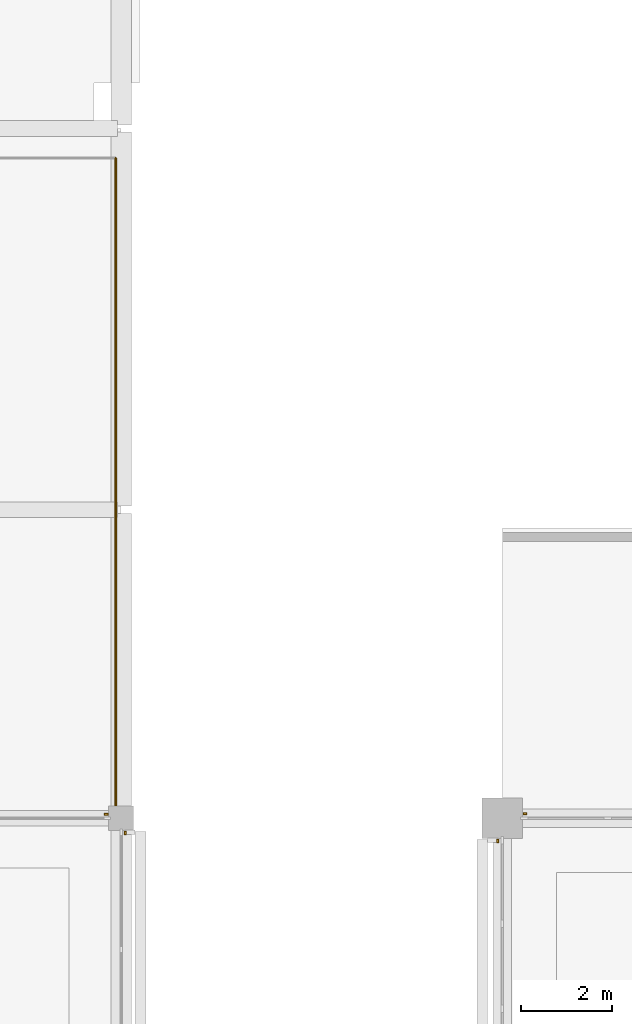
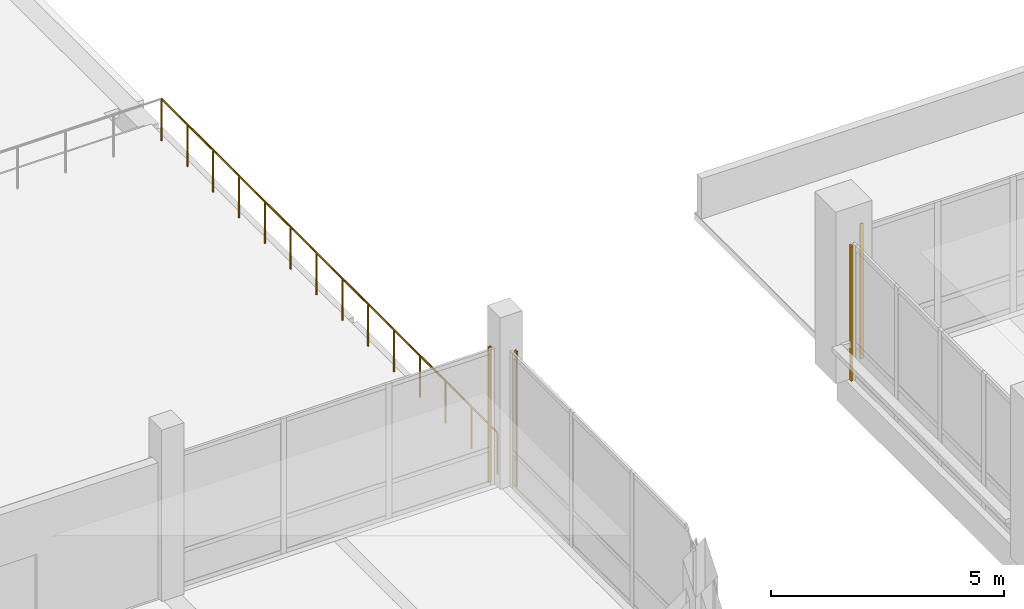
# One storey, part 48 of 59: 4 coverings, 1 railing.
"""IFC4 building model written with IfcOpenShell, lengths in metres."""

from ifc_helpers import new_model, si_unit, direction, frame, origin, origin_2d, place, context, subcontext, project, spatial, rectangle, circle, extrude, material, layer, layer_set, type_object, element, save


model = new_model("IFC4")

# Units and contexts
model_context = context("Model", 3, precision=1e-05, world=origin(), true_north=direction((0.0, 1.0)))
body_context = subcontext(model_context, "Body", "Model", "MODEL_VIEW")
ifc_project = project(units=[si_unit("LENGTHUNIT", "METRE"), si_unit("AREAUNIT", "SQUARE_METRE"), si_unit("VOLUMEUNIT", "CUBIC_METRE"), si_unit("PLANEANGLEUNIT", "RADIAN"), si_unit("MASSUNIT", "GRAM", prefix="KILO")], contexts=[model_context])

# Site, building, storey
site_placement = place(None, origin())
site = spatial("IfcSite", under=ifc_project, at=site_placement, CompositionType="ELEMENT")
building_placement = place(site_placement, origin())
building = spatial("IfcBuilding", under=site, at=building_placement, Name="Telukmera Botanical Conservatory", CompositionType="ELEMENT")
storey_placement = place(building_placement, frame((0.0, 0.0, 15.0)))
storey = spatial("IfcBuildingStorey", under=building, at=storey_placement, Name="L03", CompositionType="ELEMENT", Elevation=15.0)

# Railing
ifc_material_1 = material(Name="Brushed stainless steel grade 316", Category="steel")
railing_type = type_object("IfcRailingType", Name="Exterior Terrace Safety Guardrail 1100", PredefinedType="GUARDRAIL", material=ifc_material_1)
railing_placement = place(storey_placement, frame((41.8798828125, 42.919921875, 0.110107421875)))
element("IfcRailing", 1, at=railing_placement, inside=storey, type_object=railing_type, Name="Visitor Planted Terrace Guardrail L03 EN", PredefinedType="GUARDRAIL", context=body_context, shape_type="SweptSolid", body=[
    extrude(circle(Radius=0.02392578125, at=origin_2d()), frame((0.0, 0.0, 1.09619140625), z_axis=(0.0, 1.0, 0.0), x_axis=(-1.0, 0.0, 0.0)), (0.0, 0.0, 1.0), 14.43017578125),
    extrude(circle(Radius=0.02099609375, at=origin_2d()), origin(), (0.0, 0.0, 1.0), 1.072021484375),
    extrude(circle(Radius=0.02099609375, at=origin_2d()), frame((0.0, 1.110107421875, 0.0)), (0.0, 0.0, 1.0), 1.072021484375),
    extrude(circle(Radius=0.02099609375, at=origin_2d()), frame((0.0, 2.219970703125, 0.0)), (0.0, 0.0, 1.0), 1.072021484375),
    extrude(circle(Radius=0.02099609375, at=origin_2d()), frame((0.0, 3.330078125, 0.0)), (0.0, 0.0, 1.0), 1.072021484375),
    extrude(circle(Radius=0.02099609375, at=origin_2d()), frame((0.0, 4.43994140625, 0.0)), (0.0, 0.0, 1.0), 1.072021484375),
    extrude(circle(Radius=0.02099609375, at=origin_2d()), frame((0.0, 5.550048828125, 0.0)), (0.0, 0.0, 1.0), 1.072021484375),
    extrude(circle(Radius=0.02099609375, at=origin_2d()), frame((0.0, 6.66015625, 0.0)), (0.0, 0.0, 1.0), 1.072021484375),
    extrude(circle(Radius=0.02099609375, at=origin_2d()), frame((0.0, 7.77001953125, 0.0)), (0.0, 0.0, 1.0), 1.072021484375),
    extrude(circle(Radius=0.02099609375, at=origin_2d()), frame((0.0, 8.880126953125, 0.0)), (0.0, 0.0, 1.0), 1.072021484375),
    extrude(circle(Radius=0.02099609375, at=origin_2d()), frame((0.0, 9.990234375, 0.0)), (0.0, 0.0, 1.0), 1.072021484375),
    extrude(circle(Radius=0.02099609375, at=origin_2d()), frame((0.0, 11.10009765625, 0.0)), (0.0, 0.0, 1.0), 1.072021484375),
    extrude(circle(Radius=0.02099609375, at=origin_2d()), frame((0.0, 12.210205078125, 0.0)), (0.0, 0.0, 1.0), 1.072021484375),
    extrude(circle(Radius=0.02099609375, at=origin_2d()), frame((0.0, 13.320068359375, 0.0)), (0.0, 0.0, 1.0), 1.072021484375),
    extrude(circle(Radius=0.02099609375, at=origin_2d()), frame((0.0, 14.43017578125, 0.0)), (0.0, 0.0, 1.0), 1.072021484375),
])

# Coverings
ifc_material_2 = material(Name="Granite-faced precast concrete C40/50", Category="masonry")
ifc_layer = layer(ifc_material_2, 0.0400390625)
ifc_layer_set = layer_set([ifc_layer], Name="Granite-faced precast concrete C40/50")
covering_type = type_object("IfcCoveringType", Name="Granite Precast Column Pier Reveal Casing", PredefinedType="CLADDING", material=ifc_layer_set)
for number, where, z_axis, x_axis, name in (
    (2, (41.673095703125, 42.889892578125, 0.0), (0.0, 0.0, 1.0), (1.0, 0.0, 0.0), "Granite Pier Reveal V3:L03:N2 R"),
    (3, (42.090087890625, 42.472900390625, 0.0), (0.0, 0.0, 1.0), (0.0, 1.0, 0.0), "Granite Pier Reveal V3:L03:E2 R"),
    (4, (50.902099609375, 42.89990234375, 0.0), (0.0, 0.0, 1.0), (1.0, 0.0, 0.0), "Granite Pier Reveal V4:L03:N1 L"),
    (5, (50.300048828125, 42.298095703125, 0.0), (0.0, 0.0, 1.0), (0.0, 1.0, 0.0), "Granite Pier Reveal V4:L03:W4 R"),
):
    element("IfcCovering", number, at=place(storey_placement, frame(where, z_axis=z_axis, x_axis=x_axis)), inside=storey, type_object=covering_type, Name=name, PredefinedType="CLADDING", context=body_context, shape_type="SweptSolid", body=[
        extrude(rectangle(XDim=0.080078125, YDim=0.0400390625, at=origin_2d()), origin(), (0.0, 0.0, 1.0), 3.550048828125),
    ])

save(model, "model.ifc")
